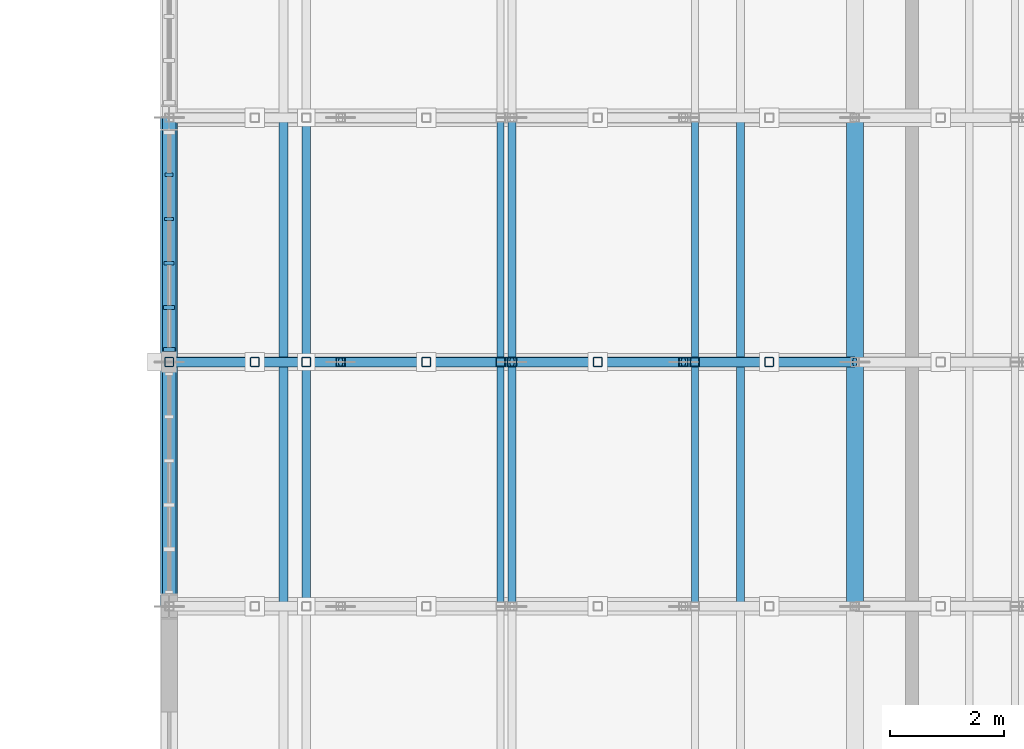
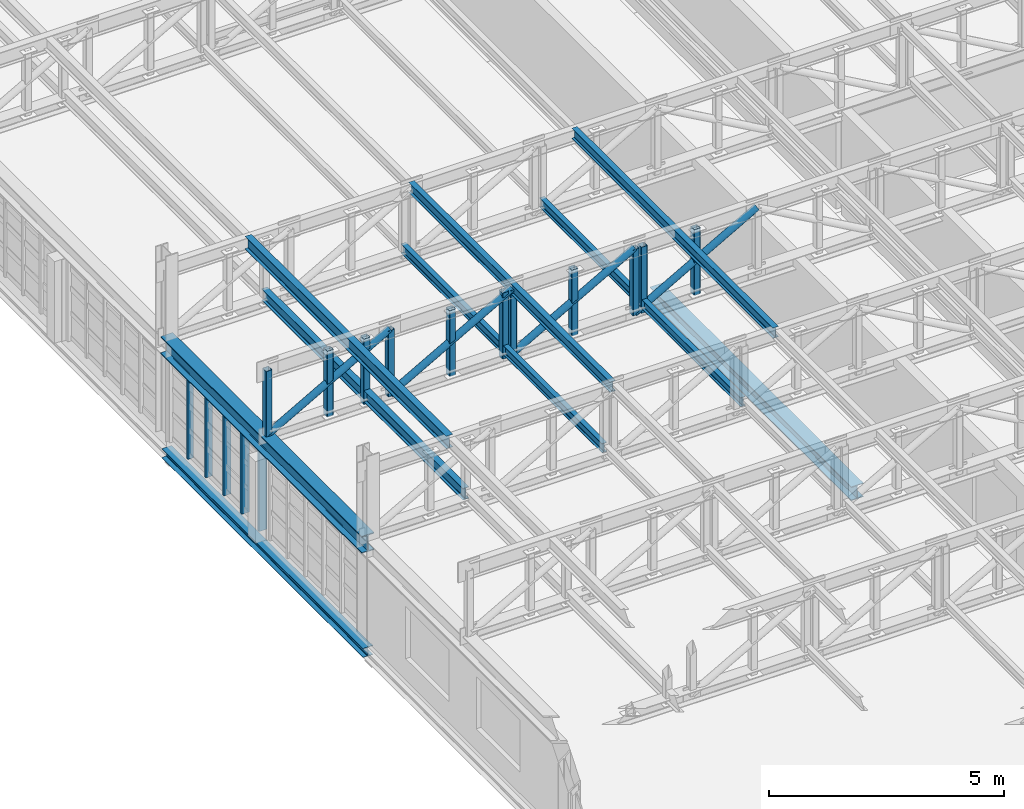
# One storey, part 45 of 128: 26 members, 3 beams, 1 element without a shape of its own.
"""IFC4 building model written with IfcOpenShell, lengths in metres."""

from ifc_helpers import new_model, si_unit, direction, frame, origin, origin_2d, place, context, subcontext, project, spatial, rectangle, hollow_rectangle, hollow_circle, i_section, extrude, material, material_profile, profile_set, type_object, element, aggregate, save


model = new_model("IFC4")

# Units and contexts
model_context = context("Model", 3, precision=1e-05, world=origin(), true_north=direction((0.0, 1.0)))
body_context = subcontext(model_context, "Body", "Model", "MODEL_VIEW")
ifc_project = project(units=[si_unit("LENGTHUNIT", "METRE"), si_unit("AREAUNIT", "SQUARE_METRE"), si_unit("VOLUMEUNIT", "CUBIC_METRE"), si_unit("PLANEANGLEUNIT", "RADIAN"), si_unit("MASSUNIT", "GRAM", prefix="KILO")], contexts=[model_context])

# Site, building, storey
site_placement = place(None, origin())
site = spatial("IfcSite", under=ifc_project, at=site_placement, CompositionType="ELEMENT")
building_placement = place(site_placement, origin())
building = spatial("IfcBuilding", under=site, at=building_placement, Name="Serraforn Aerial Cableway Station", CompositionType="ELEMENT")
storey_placement = place(building_placement, frame((0.0, 0.0, 9.0)))
storey = spatial("IfcBuildingStorey", under=building, at=storey_placement, Name="L02", CompositionType="ELEMENT", Elevation=9.0)

# Beams
ifc_material_1 = material(Name="Steel S355JR", Category="steel")
ifc_material_profile_1 = material_profile(ifc_material_1, i_section(OverallWidth=0.239990234375, OverallDepth=0.239990234375, WebThickness=0.007568359375, FlangeThickness=0.011962890625, FilletRadius=0.02099609375, at=origin_2d()), Name="HEA 240")
ifc_profile_set_1 = profile_set([ifc_material_profile_1], Name="Steel S355JR")
beam_type_1 = type_object("IfcBeamType", Name="BM-ST-HEA240", PredefinedType="BEAM", material=ifc_profile_set_1)
beam_1_placement = place(storey_placement, frame((144.0, 79.800048828125, -0.43994140625), z_axis=(0.0, 1.0, 0.0), x_axis=(-1.0, 0.0, 0.0)))
element("IfcBeam", 1, at=beam_1_placement, inside=storey, type_object=beam_type_1, Name="Grid Girder Y EG L02 X1-5", PredefinedType="BEAM", context=body_context, shape_type="SweptSolid", body=[
    extrude(i_section(OverallWidth=0.239990234375, OverallDepth=0.239990234375, WebThickness=0.007568359375, FlangeThickness=0.011962890625, FilletRadius=0.02099609375, at=origin_2d()), origin(), (0.0, 0.0, 1.0), 8.550048828125),
])
ifc_material_profile_2 = material_profile(ifc_material_1, i_section(OverallWidth=0.300048828125, OverallDepth=0.360107421875, WebThickness=0.010009765625, FlangeThickness=0.017578125, FilletRadius=0.027099609375, at=origin_2d()), Name="HEA 360")
ifc_profile_set_2 = profile_set([ifc_material_profile_2], Name="Steel S355JR")
beam_type_2 = type_object("IfcBeamType", Name="BM-ST-HEA360", PredefinedType="BEAM", material=ifc_profile_set_2)
beam_2_placement = place(storey_placement, frame((156.0, 79.800048828125, -0.5), z_axis=(0.0, 1.0, 0.0), x_axis=(-1.0, 0.0, 0.0)))
element("IfcBeam", 2, at=beam_2_placement, inside=storey, type_object=beam_type_2, Name="Grid Girder Y EG L02 X2-5", PredefinedType="BEAM", context=body_context, shape_type="SweptSolid", body=[
    extrude(i_section(OverallWidth=0.300048828125, OverallDepth=0.360107421875, WebThickness=0.010009765625, FlangeThickness=0.017578125, FilletRadius=0.027099609375, at=origin_2d()), origin(), (0.0, 0.0, 1.0), 8.550048828125),
])
ifc_material_2 = material(Name="Steel S355J2", Category="steel")
ifc_material_profile_3 = material_profile(ifc_material_2, i_section(OverallWidth=0.300048828125, OverallDepth=0.449951171875, WebThickness=0.013916015625, FlangeThickness=0.02587890625, FilletRadius=0.027099609375, at=origin_2d()), Name="HEB 450")
ifc_profile_set_3 = profile_set([ifc_material_profile_3], Name="Steel S355J2")
beam_type_3 = type_object("IfcBeamType", Name="BM-ST-HEB450", PredefinedType="USERDEFINED", material=ifc_profile_set_3)
beam_3_placement = place(storey_placement, frame((144.0, 79.800048828125, 2.375), z_axis=(0.0, 1.0, 0.0), x_axis=(-1.0, 0.0, 0.0)))
element("IfcBeam", 3, at=beam_3_placement, inside=storey, type_object=beam_type_3, Name="Garage Truss Support Girder W-5", ObjectType="GIRDER", PredefinedType="USERDEFINED", context=body_context, shape_type="SweptSolid", body=[
    extrude(i_section(OverallWidth=0.300048828125, OverallDepth=0.449951171875, WebThickness=0.013916015625, FlangeThickness=0.02587890625, FilletRadius=0.027099609375, at=origin_2d()), origin(), (0.0, 0.0, 1.0), 8.550048828125),
])

# Curtain wall, members
ifc_material_3 = material(Name="Anodised bronze unitised curtain wall")
curtain_wall_type = type_object("IfcCurtainWallType", Name="CW-SYS-3", PredefinedType="USERDEFINED", material=ifc_material_3)
curtain_wall_placement = place(storey_placement, origin())
curtain_wall = element("IfcCurtainWall", 4, at=curtain_wall_placement, inside=storey, type_object=curtain_wall_type, Name="Unitised Curtain Wall CW-EG-L02-W5A", ObjectType="UNITISED CURTAIN WALL", PredefinedType="USERDEFINED")
ifc_material_4 = material(Name="Anodised bronze extruded aluminium", Category="aluminium")
ifc_material_profile_4 = material_profile(ifc_material_4, rectangle(XDim=0.054931640625, YDim=0.139892578125, at=origin_2d()), Name="CW MULLION 55x140")
ifc_profile_set_4 = profile_set([ifc_material_profile_4], Name="Anodised bronze extruded aluminium")
member_type_1 = type_object("IfcMemberType", Name="CW-MUL-1", PredefinedType="MULLION", material=ifc_profile_set_4)
member_1_placement = place(storey_placement, frame((144.0, 87.3525390625, 0.0), z_axis=(0.0, 0.0, 1.0), x_axis=(0.0, -1.0, 0.0)))
member_1 = element("IfcMember", 5, at=member_1_placement, type_object=member_type_1, Name="Curtain Wall Mullion CW-EG-L02-W5A-M2", PredefinedType="MULLION", context=body_context, shape_type="SweptSolid", body=[
    extrude(rectangle(XDim=0.054931640625, YDim=0.139892578125, at=origin_2d()), origin(), (0.0, 0.0, 1.0), 2.1201171875),
])
ifc_material_profile_5 = material_profile(ifc_material_4, rectangle(XDim=0.06005859375, YDim=0.159912109375, at=origin_2d()), Name="CW MULLION 60x160")
ifc_profile_set_5 = profile_set([ifc_material_profile_5], Name="Anodised bronze extruded aluminium")
member_type_2 = type_object("IfcMemberType", Name="CW-MUL-2", PredefinedType="MULLION", material=ifc_profile_set_5)
member_2_placement = place(storey_placement, frame((144.0, 86.578125, 0.0), z_axis=(0.0, 0.0, 1.0), x_axis=(0.0, -1.0, 0.0)))
member_2 = element("IfcMember", 6, at=member_2_placement, type_object=member_type_2, Name="Curtain Wall Mullion CW-EG-L02-W5A-M3", PredefinedType="MULLION", context=body_context, shape_type="SweptSolid", body=[
    extrude(rectangle(XDim=0.06005859375, YDim=0.159912109375, at=origin_2d()), origin(), (0.0, 0.0, 1.0), 2.1201171875),
])
ifc_material_profile_6 = material_profile(ifc_material_4, rectangle(XDim=0.06494140625, YDim=0.175048828125, at=origin_2d()), Name="CW MULLION 65x175")
ifc_profile_set_6 = profile_set([ifc_material_profile_6], Name="Anodised bronze extruded aluminium")
member_type_3 = type_object("IfcMemberType", Name="CW-MUL-3", PredefinedType="MULLION", material=ifc_profile_set_6)
member_3_placement = place(storey_placement, frame((144.0, 85.8037109375, 0.0), z_axis=(0.0, 0.0, 1.0), x_axis=(0.0, -1.0, 0.0)))
member_3 = element("IfcMember", 7, at=member_3_placement, type_object=member_type_3, Name="Curtain Wall Mullion CW-EG-L02-W5A-M4", PredefinedType="MULLION", context=body_context, shape_type="SweptSolid", body=[
    extrude(rectangle(XDim=0.06494140625, YDim=0.175048828125, at=origin_2d()), origin(), (0.0, 0.0, 1.0), 2.1201171875),
])
ifc_material_profile_7 = material_profile(ifc_material_4, rectangle(XDim=0.070068359375, YDim=0.18994140625, at=origin_2d()), Name="CW MULLION 70x190")
ifc_profile_set_7 = profile_set([ifc_material_profile_7], Name="Anodised bronze extruded aluminium")
member_type_4 = type_object("IfcMemberType", Name="CW-MUL-4", PredefinedType="MULLION", material=ifc_profile_set_7)
member_4_placement = place(storey_placement, frame((144.0, 85.029296875, 0.0), z_axis=(0.0, 0.0, 1.0), x_axis=(0.0, -1.0, 0.0)))
member_4 = element("IfcMember", 8, at=member_4_placement, type_object=member_type_4, Name="Curtain Wall Mullion CW-EG-L02-W5A-M5", PredefinedType="MULLION", context=body_context, shape_type="SweptSolid", body=[
    extrude(rectangle(XDim=0.070068359375, YDim=0.18994140625, at=origin_2d()), origin(), (0.0, 0.0, 1.0), 2.1201171875),
])
ifc_material_profile_8 = material_profile(ifc_material_4, rectangle(XDim=0.074951171875, YDim=0.199951171875, at=origin_2d()), Name="CW MULLION 75x200")
ifc_profile_set_8 = profile_set([ifc_material_profile_8], Name="Anodised bronze extruded aluminium")
member_type_5 = type_object("IfcMemberType", Name="CW-MUL-5", PredefinedType="MULLION", material=ifc_profile_set_8)
member_5_placement = place(storey_placement, frame((144.0, 84.29248046875, 0.0), z_axis=(0.0, 0.0, 1.0), x_axis=(0.0, -1.0, 0.0)))
member_5 = element("IfcMember", 9, at=member_5_placement, type_object=member_type_5, Name="Curtain Wall Mullion CW-EG-L02-W5A-M6", PredefinedType="MULLION", context=body_context, shape_type="SweptSolid", body=[
    extrude(rectangle(XDim=0.074951171875, YDim=0.199951171875, at=origin_2d()), origin(), (0.0, 0.0, 1.0), 2.1201171875),
])
aggregate(curtain_wall, [member_1, member_2, member_3, member_4, member_5])

# Members
ifc_material_profile_9 = material_profile(ifc_material_2, hollow_circle(Radius=0.084228515625, WallThickness=0.008056640625, at=origin_2d()), Name="CHS 168.3x8.0")
ifc_profile_set_9 = profile_set([ifc_material_profile_9], Name="Steel S355J2")
member_type_6 = type_object("IfcMemberType", Name="MEM-DG-CHS168", PredefinedType="BRACE", material=ifc_profile_set_9)
for number, where, z_axis, x_axis, name in (
    (10, (144.0, 84.074951171875, 2.60009765625), (0.871272396707, 0.0, 0.490799766439), (0.0, 1.0, 0.0), "Garage Truss GT-08 Diagonal 1"),
    (11, (147.0, 84.074951171875, 2.60009765625), (0.871272396707, 0.0, 0.490799766439), (0.0, 1.0, 0.0), "Garage Truss GT-08 Diagonal 2"),
    (12, (150.0, 84.074951171875, 2.60009765625), (0.871272396707, 0.0, 0.490799766439), (0.0, 1.0, 0.0), "Garage Truss GT-08 Diagonal 3"),
    (13, (153.0, 84.074951171875, 2.60009765625), (0.871272396707, 0.0, 0.490799766439), (0.0, 1.0, 0.0), "Garage Truss GT-08 Diagonal 4"),
):
    element("IfcMember", number, at=place(storey_placement, frame(where, z_axis=z_axis, x_axis=x_axis)), inside=storey, type_object=member_type_6, Name=name, PredefinedType="BRACE", context=body_context, shape_type="SweptSolid", body=[
        extrude(hollow_circle(Radius=0.084228515625, WallThickness=0.008056640625, at=origin_2d()), origin(), (0.0, 0.0, 1.0), 3.443359375),
    ])
ifc_material_profile_10 = material_profile(ifc_material_1, i_section(OverallWidth=0.135009765625, OverallDepth=0.27001953125, WebThickness=0.006591796875, FlangeThickness=0.01025390625, FilletRadius=0.014892578125, at=origin_2d()), Name="IPE 270")
ifc_profile_set_10 = profile_set([ifc_material_profile_10], Name="Steel S355JR")
member_type_7 = type_object("IfcMemberType", Name="MEM-PR-IPE270", PredefinedType="PURLIN", material=ifc_profile_set_10)
for number, where, z_axis, x_axis, name in (
    (14, (150.0, 79.800048828125, 4.3349609375), (0.0, 1.0, 0.0), (-1.0, 0.0, 0.0), "Fleet Garage Roof Purlin 5-2"),
    (15, (154.0, 79.800048828125, 4.3349609375), (0.0, 1.0, 0.0), (-1.0, 0.0, 0.0), "Fleet Garage Roof Purlin 5-3"),
):
    element("IfcMember", number, at=place(storey_placement, frame(where, z_axis=z_axis, x_axis=x_axis)), inside=storey, type_object=member_type_7, Name=name, PredefinedType="PURLIN", context=body_context, shape_type="SweptSolid", body=[
        extrude(i_section(OverallWidth=0.135009765625, OverallDepth=0.27001953125, WebThickness=0.006591796875, FlangeThickness=0.01025390625, FilletRadius=0.014892578125, at=origin_2d()), origin(), (0.0, 0.0, 1.0), 8.550048828125),
    ])
ifc_material_profile_11 = material_profile(ifc_material_1, i_section(OverallWidth=0.159912109375, OverallDepth=0.330078125, WebThickness=0.007568359375, FlangeThickness=0.011474609375, FilletRadius=0.01806640625, at=origin_2d()), Name="IPE 330")
ifc_profile_set_11 = profile_set([ifc_material_profile_11], Name="Steel S355JR")
member_type_8 = type_object("IfcMemberType", Name="MEM-PR-IPE330", PredefinedType="PURLIN", material=ifc_profile_set_11)
member_6_placement = place(storey_placement, frame((146.0, 79.800048828125, 4.304931640625), z_axis=(0.0, 1.0, 0.0), x_axis=(-1.0, 0.0, 0.0)))
element("IfcMember", 16, at=member_6_placement, inside=storey, type_object=member_type_8, Name="Fleet Garage Roof Purlin 5-1", PredefinedType="PURLIN", context=body_context, shape_type="SweptSolid", body=[
    extrude(i_section(OverallWidth=0.159912109375, OverallDepth=0.330078125, WebThickness=0.007568359375, FlangeThickness=0.011474609375, FilletRadius=0.01806640625, at=origin_2d()), origin(), (0.0, 0.0, 1.0), 8.550048828125),
])
ifc_material_profile_12 = material_profile(ifc_material_2, i_section(OverallWidth=0.1201171875, OverallDepth=0.239990234375, WebThickness=0.006103515625, FlangeThickness=0.009765625, FilletRadius=0.014892578125, at=origin_2d()), Name="IPE 240")
ifc_profile_set_12 = profile_set([ifc_material_profile_12], Name="Steel S355J2")
member_type_9 = type_object("IfcMemberType", Name="MEM-RL-IPE240", PredefinedType="USERDEFINED", material=ifc_profile_set_12)
for number, where, z_axis, x_axis, name in (
    (17, (149.800048828125, 79.800048828125, 2.820068359375), (0.0, 1.0, 0.0), (-1.0, 0.0, 0.0), "Overhead Cabin Storage Track Rail 2-4"),
    (18, (153.199951171875, 79.800048828125, 2.820068359375), (0.0, 1.0, 0.0), (-1.0, 0.0, 0.0), "Overhead Cabin Storage Track Rail 3-4"),
):
    element("IfcMember", number, at=place(storey_placement, frame(where, z_axis=z_axis, x_axis=x_axis)), inside=storey, type_object=member_type_9, Name=name, ObjectType="OVERHEAD TRACK RAIL", PredefinedType="USERDEFINED", context=body_context, shape_type="SweptSolid", body=[
        extrude(i_section(OverallWidth=0.1201171875, OverallDepth=0.239990234375, WebThickness=0.006103515625, FlangeThickness=0.009765625, FilletRadius=0.014892578125, at=origin_2d()), origin(), (0.0, 0.0, 1.0), 8.550048828125),
    ])
ifc_material_profile_13 = material_profile(ifc_material_2, i_section(OverallWidth=0.14990234375, OverallDepth=0.300048828125, WebThickness=0.007080078125, FlangeThickness=0.0107421875, FilletRadius=0.014892578125, at=origin_2d()), Name="IPE 300")
ifc_profile_set_13 = profile_set([ifc_material_profile_13], Name="Steel S355J2")
member_type_10 = type_object("IfcMemberType", Name="MEM-RL-IPE300", PredefinedType="USERDEFINED", material=ifc_profile_set_13)
member_7_placement = place(storey_placement, frame((146.39990234375, 79.800048828125, 2.820068359375), z_axis=(0.0, 1.0, 0.0), x_axis=(-1.0, 0.0, 0.0)))
element("IfcMember", 19, at=member_7_placement, inside=storey, type_object=member_type_10, Name="Overhead Cabin Storage Track Rail 1-4", ObjectType="OVERHEAD TRACK RAIL", PredefinedType="USERDEFINED", context=body_context, shape_type="SweptSolid", body=[
    extrude(i_section(OverallWidth=0.14990234375, OverallDepth=0.300048828125, WebThickness=0.007080078125, FlangeThickness=0.0107421875, FilletRadius=0.014892578125, at=origin_2d()), origin(), (0.0, 0.0, 1.0), 8.550048828125),
])
ifc_material_profile_14 = material_profile(ifc_material_2, hollow_rectangle(XDim=0.159912109375, YDim=0.159912109375, WallThickness=0.008056640625, InnerFilletRadius=0.008056640625, OuterFilletRadius=0.01611328125, at=origin_2d()), Name="SHS 160x160x8.0")
ifc_profile_set_14 = profile_set([ifc_material_profile_14], Name="Steel S355J2")
member_type_11 = type_object("IfcMemberType", Name="MEM-VP-SHS160", PredefinedType="STRUT", material=ifc_profile_set_14)
for number, where, z_axis, x_axis, name in (
    (20, (144.0, 84.074951171875, 2.590087890625), (0.0, 0.0, 1.0), (1.0, 0.0, 0.0), "Garage Truss GT-08 Post 1"),
    (21, (147.0, 84.074951171875, 2.590087890625), (0.0, 0.0, 1.0), (1.0, 0.0, 0.0), "Garage Truss GT-08 Post 2"),
    (22, (150.0, 84.074951171875, 2.590087890625), (0.0, 0.0, 1.0), (1.0, 0.0, 0.0), "Garage Truss GT-08 Post 3"),
    (23, (153.0, 84.074951171875, 2.590087890625), (0.0, 0.0, 1.0), (1.0, 0.0, 0.0), "Garage Truss GT-08 Post 4"),
    (24, (146.39990234375, 84.074951171875, 2.590087890625), (0.0, 0.0, 1.0), (1.0, 0.0, 0.0), "Overhead Rail Suspension Post 037"),
    (25, (149.800048828125, 84.074951171875, 2.590087890625), (0.0, 0.0, 1.0), (1.0, 0.0, 0.0), "Overhead Rail Suspension Post 038"),
    (26, (153.199951171875, 84.074951171875, 2.590087890625), (0.0, 0.0, 1.0), (1.0, 0.0, 0.0), "Overhead Rail Suspension Post 039"),
    (27, (145.5, 84.074951171875, 2.590087890625), (0.0, 0.0, 1.0), (1.0, 0.0, 0.0), "Garage Truss GT-08 Sub-Vertical 1"),
    (28, (148.5, 84.074951171875, 2.590087890625), (0.0, 0.0, 1.0), (1.0, 0.0, 0.0), "Garage Truss GT-08 Sub-Vertical 2"),
    (29, (151.5, 84.074951171875, 2.590087890625), (0.0, 0.0, 1.0), (1.0, 0.0, 0.0), "Garage Truss GT-08 Sub-Vertical 3"),
    (30, (154.5, 84.074951171875, 2.590087890625), (0.0, 0.0, 1.0), (1.0, 0.0, 0.0), "Garage Truss GT-08 Sub-Vertical 4"),
):
    element("IfcMember", number, at=place(storey_placement, frame(where, z_axis=z_axis, x_axis=x_axis)), inside=storey, type_object=member_type_11, Name=name, PredefinedType="STRUT", context=body_context, shape_type="SweptSolid", body=[
        extrude(hollow_rectangle(XDim=0.159912109375, YDim=0.159912109375, WallThickness=0.008056640625, InnerFilletRadius=0.008056640625, OuterFilletRadius=0.01611328125, at=origin_2d()), origin(), (0.0, 0.0, 1.0), 1.7099609375),
    ])

save(model, "model.ifc")
